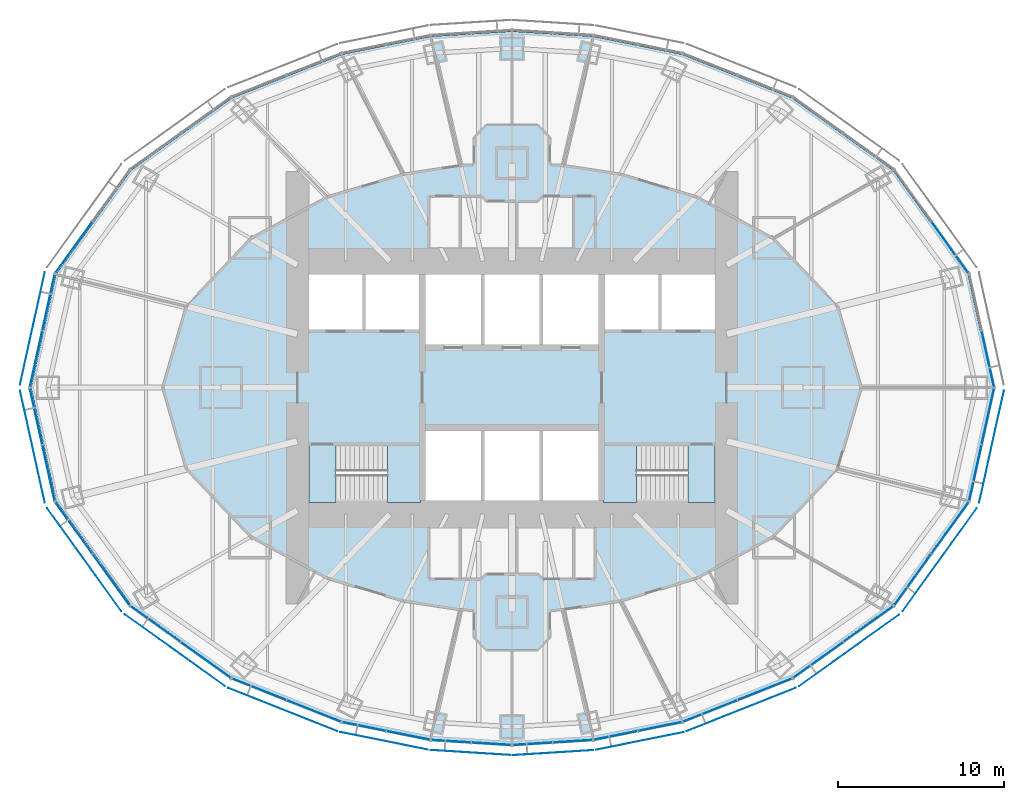
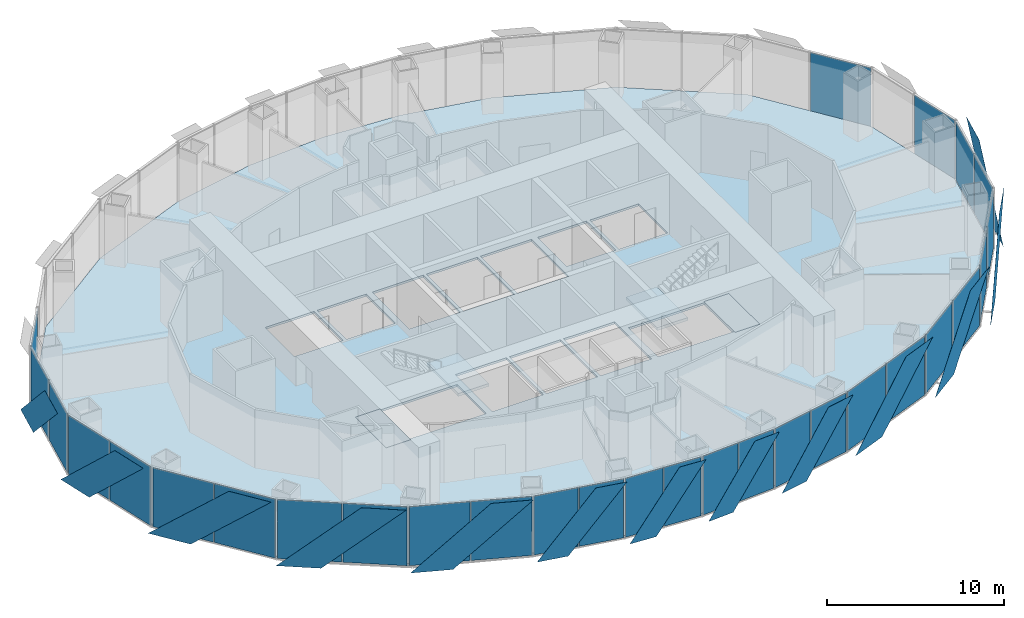
# One storey, part 9 of 18: 42 plates, 5 slabs, 18 elements without a shape of their own.
"""IFC4 building model written with IfcOpenShell, lengths in metres."""

from ifc_helpers import new_model, si_unit, direction, frame, origin, origin_2d, place, context, subcontext, project, spatial, polyline, rectangle, outline, extrude, material, layer, layer_set, type_object, element, aggregate, save


model = new_model("IFC4")

# Units and contexts
model_context = context("Model", 3, precision=1e-05, world=origin(), true_north=direction((0.0, 1.0)))
body_context = subcontext(model_context, "Body", "Model", "MODEL_VIEW")
ifc_project = project(units=[si_unit("LENGTHUNIT", "METRE"), si_unit("AREAUNIT", "SQUARE_METRE"), si_unit("VOLUMEUNIT", "CUBIC_METRE"), si_unit("PLANEANGLEUNIT", "RADIAN"), si_unit("MASSUNIT", "GRAM", prefix="KILO")], contexts=[model_context])

# Site, building, storey
site_placement = place(None, origin())
site = spatial("IfcSite", under=ifc_project, at=site_placement, CompositionType="ELEMENT")
building_placement = place(site_placement, origin())
building = spatial("IfcBuilding", under=site, at=building_placement, Name="Lantaw Convention Tower", CompositionType="ELEMENT")
storey_placement = place(building_placement, frame((0.0, 0.0, 138.39990234375)))
storey = spatial("IfcBuildingStorey", under=building, at=storey_placement, Name="L32", CompositionType="ELEMENT", Elevation=138.39990234375)

# Curtain wall, plate
ifc_material_1 = material(Name="Aluminium framed curtain wall", Category="aluminium")
curtain_wall_type = type_object("IfcCurtainWallType", Name="Office curtain wall low rise, pale aluminium", PredefinedType="USERDEFINED", material=ifc_material_1)
curtain_wall_1_placement = place(storey_placement, origin())
curtain_wall_1 = element("IfcCurtainWall", 1, at=curtain_wall_1_placement, inside=storey, type_object=curtain_wall_type, Name="Office curtain wall low rise, pale aluminium L32", ObjectType="UNITISED CURTAIN WALL", PredefinedType="USERDEFINED")
ifc_material_2 = material(Name="Clear insulating glass", Category="glass")
ifc_layer_1 = layer(ifc_material_2, 0.028076171875)
ifc_layer_set_1 = layer_set([ifc_layer_1], Name="CW-O1 panel 28")
plate_type_1 = type_object("IfcPlateType", Name="CW-O1 panel 28", PredefinedType="CURTAIN_PANEL", material=ifc_layer_set_1)
plate_1_placement = place(storey_placement, frame((28.618408203125, 1.729248046875, -0.0849609375), z_axis=(0.0, 0.0, 1.0), x_axis=(-0.215546166174, 0.9764936509, 0.0)))
plate_1 = element("IfcPlate", 2, at=plate_1_placement, type_object=plate_type_1, Name="CW-O1 panel 1.1", PredefinedType="CURTAIN_PANEL", context=body_context, shape_type="SweptSolid", body=[
    extrude(rectangle(XDim=3.41162109375, YDim=0.028076171875, at=origin_2d()), origin(), (0.0, 0.0, 1.0), 4.070068359375),
])
aggregate(curtain_wall_1, [plate_1])

curtain_wall_2_placement = place(storey_placement, origin())
curtain_wall_2 = element("IfcCurtainWall", 3, at=curtain_wall_2_placement, inside=storey, type_object=curtain_wall_type, Name="Office curtain wall low rise, pale aluminium L32", ObjectType="UNITISED CURTAIN WALL", PredefinedType="USERDEFINED")
plate_2_placement = place(storey_placement, frame((26.34814453125, 8.4345703125, -0.0849609375), z_axis=(0.0, 0.0, 1.0), x_axis=(-0.584512597221, 0.811384633629, 0.0)))
plate_2 = element("IfcPlate", 4, at=plate_2_placement, type_object=plate_type_1, Name="CW-O1 panel 1.1", PredefinedType="CURTAIN_PANEL", context=body_context, shape_type="SweptSolid", body=[
    extrude(rectangle(XDim=3.767333984375, YDim=0.028076171875, at=origin_2d()), origin(), (0.0, 0.0, 1.0), 4.070068359375),
])
aggregate(curtain_wall_2, [plate_2])

curtain_wall_3_placement = place(storey_placement, origin())
curtain_wall_3 = element("IfcCurtainWall", 5, at=curtain_wall_3_placement, inside=storey, type_object=curtain_wall_type, Name="Office curtain wall low rise, pale aluminium L32", ObjectType="UNITISED CURTAIN WALL", PredefinedType="USERDEFINED")
plate_3_placement = place(storey_placement, frame((-26.34814453125, 8.4345703125, -0.0849609375), z_axis=(0.0, 0.0, 1.0), x_axis=(-0.584512597221, -0.811384633629, 0.0)))
plate_3 = element("IfcPlate", 6, at=plate_3_placement, type_object=plate_type_1, Name="CW-O1 panel 2.1", PredefinedType="CURTAIN_PANEL", context=body_context, shape_type="SweptSolid", body=[
    extrude(rectangle(XDim=3.767333984375, YDim=0.028076171875, at=origin_2d()), origin(), (0.0, 0.0, 1.0), 4.070068359375),
])
aggregate(curtain_wall_3, [plate_3])

# Curtain wall, plates
curtain_wall_4_placement = place(storey_placement, origin())
curtain_wall_4 = element("IfcCurtainWall", 7, at=curtain_wall_4_placement, inside=storey, type_object=curtain_wall_type, Name="Office curtain wall low rise, pale aluminium L32", ObjectType="UNITISED CURTAIN WALL", PredefinedType="USERDEFINED")
plate_4_placement = place(storey_placement, frame((-27.868896484375, 5.1240234375, -0.0849609375), z_axis=(0.0, 0.0, 1.0), x_axis=(-0.215546166174, -0.9764936509, 0.0)))
plate_4 = element("IfcPlate", 8, at=plate_4_placement, type_object=plate_type_1, Name="CW-O1 panel 1.1", PredefinedType="CURTAIN_PANEL", context=body_context, shape_type="SweptSolid", body=[
    extrude(rectangle(XDim=3.41162109375, YDim=0.028076171875, at=origin_2d()), origin(), (0.0, 0.0, 1.0), 4.070068359375),
])
plate_5_placement = place(storey_placement, frame((-28.618408203125, 1.729248046875, -0.0849609375), z_axis=(0.0, 0.0, 1.0), x_axis=(-0.215546166174, -0.9764936509, 0.0)))
plate_5 = element("IfcPlate", 9, at=plate_5_placement, type_object=plate_type_1, Name="CW-O1 panel 2.1", PredefinedType="CURTAIN_PANEL", context=body_context, shape_type="SweptSolid", body=[
    extrude(rectangle(XDim=3.41162109375, YDim=0.028076171875, at=origin_2d()), origin(), (0.0, 0.0, 1.0), 4.070068359375),
])
aggregate(curtain_wall_4, [plate_4, plate_5])

curtain_wall_5_placement = place(storey_placement, origin())
curtain_wall_5 = element("IfcCurtainWall", 10, at=curtain_wall_5_placement, inside=storey, type_object=curtain_wall_type, Name="Office curtain wall low rise, pale aluminium L32", ObjectType="UNITISED CURTAIN WALL", PredefinedType="USERDEFINED")
plate_6_placement = place(storey_placement, frame((-28.618408203125, -1.729248046875, -0.0849609375), z_axis=(0.0, 0.0, 1.0), x_axis=(0.215546166174, -0.9764936509, 0.0)))
plate_6 = element("IfcPlate", 11, at=plate_6_placement, type_object=plate_type_1, Name="CW-O1 panel 1.1", PredefinedType="CURTAIN_PANEL", context=body_context, shape_type="SweptSolid", body=[
    extrude(rectangle(XDim=3.41162109375, YDim=0.028076171875, at=origin_2d()), origin(), (0.0, 0.0, 1.0), 4.070068359375),
])
plate_7_placement = place(storey_placement, frame((-27.868896484375, -5.1240234375, -0.0849609375), z_axis=(0.0, 0.0, 1.0), x_axis=(0.215546166174, -0.9764936509, 0.0)))
plate_7 = element("IfcPlate", 12, at=plate_7_placement, type_object=plate_type_1, Name="CW-O1 panel 2.1", PredefinedType="CURTAIN_PANEL", context=body_context, shape_type="SweptSolid", body=[
    extrude(rectangle(XDim=3.41162109375, YDim=0.028076171875, at=origin_2d()), origin(), (0.0, 0.0, 1.0), 4.070068359375),
])
aggregate(curtain_wall_5, [plate_6, plate_7])

curtain_wall_6_placement = place(storey_placement, origin())
curtain_wall_6 = element("IfcCurtainWall", 13, at=curtain_wall_6_placement, inside=storey, type_object=curtain_wall_type, Name="Office curtain wall low rise, pale aluminium L32", ObjectType="UNITISED CURTAIN WALL", PredefinedType="USERDEFINED")
plate_8_placement = place(storey_placement, frame((-26.34814453125, -8.4345703125, -0.0849609375), z_axis=(0.0, 0.0, 1.0), x_axis=(0.584512597221, -0.811384633629, 0.0)))
plate_8 = element("IfcPlate", 14, at=plate_8_placement, type_object=plate_type_1, Name="CW-O1 panel 1.1", PredefinedType="CURTAIN_PANEL", context=body_context, shape_type="SweptSolid", body=[
    extrude(rectangle(XDim=3.767333984375, YDim=0.028076171875, at=origin_2d()), origin(), (0.0, 0.0, 1.0), 4.070068359375),
])
plate_9_placement = place(storey_placement, frame((-24.108154296875, -11.5439453125, -0.0849609375), z_axis=(0.0, 0.0, 1.0), x_axis=(0.584512597221, -0.811384633629, 0.0)))
plate_9 = element("IfcPlate", 15, at=plate_9_placement, type_object=plate_type_1, Name="CW-O1 panel 2.1", PredefinedType="CURTAIN_PANEL", context=body_context, shape_type="SweptSolid", body=[
    extrude(rectangle(XDim=3.767333984375, YDim=0.028076171875, at=origin_2d()), origin(), (0.0, 0.0, 1.0), 4.070068359375),
])
aggregate(curtain_wall_6, [plate_8, plate_9])

curtain_wall_7_placement = place(storey_placement, origin())
curtain_wall_7 = element("IfcCurtainWall", 16, at=curtain_wall_7_placement, inside=storey, type_object=curtain_wall_type, Name="Office curtain wall low rise, pale aluminium L32", ObjectType="UNITISED CURTAIN WALL", PredefinedType="USERDEFINED")
plate_10_placement = place(storey_placement, frame((-21.43408203125, -14.2236328125, -0.0849609375), z_axis=(0.0, 0.0, 1.0), x_axis=(0.813208325995, -0.581972695693, 0.0)))
plate_10 = element("IfcPlate", 17, at=plate_10_placement, type_object=plate_type_1, Name="CW-O1 panel 1.1", PredefinedType="CURTAIN_PANEL", context=body_context, shape_type="SweptSolid", body=[
    extrude(rectangle(XDim=3.645263671875, YDim=0.028076171875, at=origin_2d()), origin(), (0.0, 0.0, 1.0), 4.070068359375),
])
plate_11_placement = place(storey_placement, frame((-18.416748046875, -16.383056640625, -0.0849609375), z_axis=(0.0, 0.0, 1.0), x_axis=(0.813208325995, -0.581972695693, 0.0)))
plate_11 = element("IfcPlate", 18, at=plate_11_placement, type_object=plate_type_1, Name="CW-O1 panel 2.1", PredefinedType="CURTAIN_PANEL", context=body_context, shape_type="SweptSolid", body=[
    extrude(rectangle(XDim=3.645263671875, YDim=0.028076171875, at=origin_2d()), origin(), (0.0, 0.0, 1.0), 4.070068359375),
])
aggregate(curtain_wall_7, [plate_10, plate_11])

curtain_wall_8_placement = place(storey_placement, origin())
curtain_wall_8 = element("IfcCurtainWall", 19, at=curtain_wall_8_placement, inside=storey, type_object=curtain_wall_type, Name="Office curtain wall low rise, pale aluminium L32", ObjectType="UNITISED CURTAIN WALL", PredefinedType="USERDEFINED")
plate_12_placement = place(storey_placement, frame((-15.208251953125, -18.145263671875, -0.0849609375), z_axis=(0.0, 0.0, 1.0), x_axis=(0.929547687544, -0.368701907483, 0.0)))
plate_12 = element("IfcPlate", 20, at=plate_12_placement, type_object=plate_type_1, Name="CW-O1 panel 1.1", PredefinedType="CURTAIN_PANEL", context=body_context, shape_type="SweptSolid", body=[
    extrude(rectangle(XDim=3.470703125, YDim=0.028076171875, at=origin_2d()), origin(), (0.0, 0.0, 1.0), 4.070068359375),
])
plate_13_placement = place(storey_placement, frame((-11.921630859375, -19.448974609375, -0.0849609375), z_axis=(0.0, 0.0, 1.0), x_axis=(0.929547687544, -0.368701907483, 0.0)))
plate_13 = element("IfcPlate", 21, at=plate_13_placement, type_object=plate_type_1, Name="CW-O1 panel 2.1", PredefinedType="CURTAIN_PANEL", context=body_context, shape_type="SweptSolid", body=[
    extrude(rectangle(XDim=3.470703125, YDim=0.028076171875, at=origin_2d()), origin(), (0.0, 0.0, 1.0), 4.070068359375),
])
aggregate(curtain_wall_8, [plate_12, plate_13])

curtain_wall_9_placement = place(storey_placement, origin())
curtain_wall_9 = element("IfcCurtainWall", 22, at=curtain_wall_9_placement, inside=storey, type_object=curtain_wall_type, Name="Office curtain wall low rise, pale aluminium L32", ObjectType="UNITISED CURTAIN WALL", PredefinedType="USERDEFINED")
plate_14_placement = place(storey_placement, frame((-8.893310546875, -20.3857421875, -0.0849609375), z_axis=(0.0, 0.0, 1.0), x_axis=(0.980301514912, -0.197506809659, 0.0)))
plate_14 = element("IfcPlate", 23, at=plate_14_placement, type_object=plate_type_1, Name="CW-O1 panel 1.1", PredefinedType="CURTAIN_PANEL", context=body_context, shape_type="SweptSolid", body=[
    extrude(rectangle(XDim=2.634033203125, YDim=0.028076171875, at=origin_2d()), origin(), (0.0, 0.0, 1.0), 4.070068359375),
])
plate_15_placement = place(storey_placement, frame((-6.247314453125, -20.9189453125, -0.0849609375), z_axis=(0.0, 0.0, 1.0), x_axis=(0.980301514912, -0.197506809659, 0.0)))
plate_15 = element("IfcPlate", 24, at=plate_15_placement, type_object=plate_type_1, Name="CW-O1 panel 2.1", PredefinedType="CURTAIN_PANEL", context=body_context, shape_type="SweptSolid", body=[
    extrude(rectangle(XDim=2.634033203125, YDim=0.028076171875, at=origin_2d()), origin(), (0.0, 0.0, 1.0), 4.070068359375),
])
aggregate(curtain_wall_9, [plate_14, plate_15])

curtain_wall_10_placement = place(storey_placement, origin())
curtain_wall_10 = element("IfcCurtainWall", 25, at=curtain_wall_10_placement, inside=storey, type_object=curtain_wall_type, Name="Office curtain wall low rise, pale aluminium L32", ObjectType="UNITISED CURTAIN WALL", PredefinedType="USERDEFINED")
plate_16_placement = place(storey_placement, frame((-3.653076171875, -21.269775390625, -0.0849609375), z_axis=(0.0, 0.0, 1.0), x_axis=(0.998022035978, -0.062865059466, 0.0)))
plate_16 = element("IfcPlate", 26, at=plate_16_placement, type_object=plate_type_1, Name="CW-O1 panel 1.1", PredefinedType="CURTAIN_PANEL", context=body_context, shape_type="SweptSolid", body=[
    extrude(rectangle(XDim=2.353515625, YDim=0.028076171875, at=origin_2d()), origin(), (0.0, 0.0, 1.0), 4.070068359375),
])
plate_17_placement = place(storey_placement, frame((-1.2392578125, -21.421875, -0.0849609375), z_axis=(0.0, 0.0, 1.0), x_axis=(0.998022035978, -0.062865059466, 0.0)))
plate_17 = element("IfcPlate", 27, at=plate_17_placement, type_object=plate_type_1, Name="CW-O1 panel 2.1", PredefinedType="CURTAIN_PANEL", context=body_context, shape_type="SweptSolid", body=[
    extrude(rectangle(XDim=2.353515625, YDim=0.028076171875, at=origin_2d()), origin(), (0.0, 0.0, 1.0), 4.070068359375),
])
aggregate(curtain_wall_10, [plate_16, plate_17])

curtain_wall_11_placement = place(storey_placement, origin())
curtain_wall_11 = element("IfcCurtainWall", 28, at=curtain_wall_11_placement, inside=storey, type_object=curtain_wall_type, Name="Office curtain wall low rise, pale aluminium L32", ObjectType="UNITISED CURTAIN WALL", PredefinedType="USERDEFINED")
plate_18_placement = place(storey_placement, frame((1.2392578125, -21.421875, -0.0849609375), z_axis=(0.0, 0.0, 1.0), x_axis=(0.998022035978, 0.062865059466, 0.0)))
plate_18 = element("IfcPlate", 29, at=plate_18_placement, type_object=plate_type_1, Name="CW-O1 panel 1.1", PredefinedType="CURTAIN_PANEL", context=body_context, shape_type="SweptSolid", body=[
    extrude(rectangle(XDim=2.353515625, YDim=0.028076171875, at=origin_2d()), origin(), (0.0, 0.0, 1.0), 4.070068359375),
])
plate_19_placement = place(storey_placement, frame((3.653076171875, -21.269775390625, -0.0849609375), z_axis=(0.0, 0.0, 1.0), x_axis=(0.998022035978, 0.062865059466, 0.0)))
plate_19 = element("IfcPlate", 30, at=plate_19_placement, type_object=plate_type_1, Name="CW-O1 panel 2.1", PredefinedType="CURTAIN_PANEL", context=body_context, shape_type="SweptSolid", body=[
    extrude(rectangle(XDim=2.353515625, YDim=0.028076171875, at=origin_2d()), origin(), (0.0, 0.0, 1.0), 4.070068359375),
])
aggregate(curtain_wall_11, [plate_18, plate_19])

curtain_wall_12_placement = place(storey_placement, origin())
curtain_wall_12 = element("IfcCurtainWall", 31, at=curtain_wall_12_placement, inside=storey, type_object=curtain_wall_type, Name="Office curtain wall low rise, pale aluminium L32", ObjectType="UNITISED CURTAIN WALL", PredefinedType="USERDEFINED")
plate_20_placement = place(storey_placement, frame((6.247314453125, -20.9189453125, -0.0849609375), z_axis=(0.0, 0.0, 1.0), x_axis=(0.980301514912, 0.197506809659, 0.0)))
plate_20 = element("IfcPlate", 32, at=plate_20_placement, type_object=plate_type_1, Name="CW-O1 panel 1.1", PredefinedType="CURTAIN_PANEL", context=body_context, shape_type="SweptSolid", body=[
    extrude(rectangle(XDim=2.634033203125, YDim=0.028076171875, at=origin_2d()), origin(), (0.0, 0.0, 1.0), 4.070068359375),
])
plate_21_placement = place(storey_placement, frame((8.893310546875, -20.3857421875, -0.0849609375), z_axis=(0.0, 0.0, 1.0), x_axis=(0.980301514912, 0.197506809659, 0.0)))
plate_21 = element("IfcPlate", 33, at=plate_21_placement, type_object=plate_type_1, Name="CW-O1 panel 2.1", PredefinedType="CURTAIN_PANEL", context=body_context, shape_type="SweptSolid", body=[
    extrude(rectangle(XDim=2.634033203125, YDim=0.028076171875, at=origin_2d()), origin(), (0.0, 0.0, 1.0), 4.070068359375),
])
aggregate(curtain_wall_12, [plate_20, plate_21])

curtain_wall_13_placement = place(storey_placement, origin())
curtain_wall_13 = element("IfcCurtainWall", 34, at=curtain_wall_13_placement, inside=storey, type_object=curtain_wall_type, Name="Office curtain wall low rise, pale aluminium L32", ObjectType="UNITISED CURTAIN WALL", PredefinedType="USERDEFINED")
plate_22_placement = place(storey_placement, frame((11.921630859375, -19.448974609375, -0.0849609375), z_axis=(0.0, 0.0, 1.0), x_axis=(0.929547687544, 0.368701907483, 0.0)))
plate_22 = element("IfcPlate", 35, at=plate_22_placement, type_object=plate_type_1, Name="CW-O1 panel 1.1", PredefinedType="CURTAIN_PANEL", context=body_context, shape_type="SweptSolid", body=[
    extrude(rectangle(XDim=3.470703125, YDim=0.028076171875, at=origin_2d()), origin(), (0.0, 0.0, 1.0), 4.070068359375),
])
plate_23_placement = place(storey_placement, frame((15.208251953125, -18.145263671875, -0.0849609375), z_axis=(0.0, 0.0, 1.0), x_axis=(0.929547687544, 0.368701907483, 0.0)))
plate_23 = element("IfcPlate", 36, at=plate_23_placement, type_object=plate_type_1, Name="CW-O1 panel 2.1", PredefinedType="CURTAIN_PANEL", context=body_context, shape_type="SweptSolid", body=[
    extrude(rectangle(XDim=3.470703125, YDim=0.028076171875, at=origin_2d()), origin(), (0.0, 0.0, 1.0), 4.070068359375),
])
aggregate(curtain_wall_13, [plate_22, plate_23])

curtain_wall_14_placement = place(storey_placement, origin())
curtain_wall_14 = element("IfcCurtainWall", 37, at=curtain_wall_14_placement, inside=storey, type_object=curtain_wall_type, Name="Office curtain wall low rise, pale aluminium L32", ObjectType="UNITISED CURTAIN WALL", PredefinedType="USERDEFINED")
plate_24_placement = place(storey_placement, frame((18.416748046875, -16.383056640625, -0.0849609375), z_axis=(0.0, 0.0, 1.0), x_axis=(0.813208325995, 0.581972695693, 0.0)))
plate_24 = element("IfcPlate", 38, at=plate_24_placement, type_object=plate_type_1, Name="CW-O1 panel 1.1", PredefinedType="CURTAIN_PANEL", context=body_context, shape_type="SweptSolid", body=[
    extrude(rectangle(XDim=3.645263671875, YDim=0.028076171875, at=origin_2d()), origin(), (0.0, 0.0, 1.0), 4.070068359375),
])
plate_25_placement = place(storey_placement, frame((21.43408203125, -14.2236328125, -0.0849609375), z_axis=(0.0, 0.0, 1.0), x_axis=(0.813208325995, 0.581972695693, 0.0)))
plate_25 = element("IfcPlate", 39, at=plate_25_placement, type_object=plate_type_1, Name="CW-O1 panel 2.1", PredefinedType="CURTAIN_PANEL", context=body_context, shape_type="SweptSolid", body=[
    extrude(rectangle(XDim=3.645263671875, YDim=0.028076171875, at=origin_2d()), origin(), (0.0, 0.0, 1.0), 4.070068359375),
])
aggregate(curtain_wall_14, [plate_24, plate_25])

curtain_wall_15_placement = place(storey_placement, origin())
curtain_wall_15 = element("IfcCurtainWall", 40, at=curtain_wall_15_placement, inside=storey, type_object=curtain_wall_type, Name="Office curtain wall low rise, pale aluminium L32", ObjectType="UNITISED CURTAIN WALL", PredefinedType="USERDEFINED")
plate_26_placement = place(storey_placement, frame((24.108154296875, -11.5439453125, -0.0849609375), z_axis=(0.0, 0.0, 1.0), x_axis=(0.584512597221, 0.811384633629, 0.0)))
plate_26 = element("IfcPlate", 41, at=plate_26_placement, type_object=plate_type_1, Name="CW-O1 panel 1.1", PredefinedType="CURTAIN_PANEL", context=body_context, shape_type="SweptSolid", body=[
    extrude(rectangle(XDim=3.767333984375, YDim=0.028076171875, at=origin_2d()), origin(), (0.0, 0.0, 1.0), 4.070068359375),
])
plate_27_placement = place(storey_placement, frame((26.34814453125, -8.4345703125, -0.0849609375), z_axis=(0.0, 0.0, 1.0), x_axis=(0.584512597221, 0.811384633629, 0.0)))
plate_27 = element("IfcPlate", 42, at=plate_27_placement, type_object=plate_type_1, Name="CW-O1 panel 2.1", PredefinedType="CURTAIN_PANEL", context=body_context, shape_type="SweptSolid", body=[
    extrude(rectangle(XDim=3.767333984375, YDim=0.028076171875, at=origin_2d()), origin(), (0.0, 0.0, 1.0), 4.070068359375),
])
aggregate(curtain_wall_15, [plate_26, plate_27])

curtain_wall_16_placement = place(storey_placement, origin())
curtain_wall_16 = element("IfcCurtainWall", 43, at=curtain_wall_16_placement, inside=storey, type_object=curtain_wall_type, Name="Office curtain wall low rise, pale aluminium L32", ObjectType="UNITISED CURTAIN WALL", PredefinedType="USERDEFINED")
plate_28_placement = place(storey_placement, frame((27.868896484375, -5.1240234375, -0.0849609375), z_axis=(0.0, 0.0, 1.0), x_axis=(0.215546166174, 0.9764936509, 0.0)))
plate_28 = element("IfcPlate", 44, at=plate_28_placement, type_object=plate_type_1, Name="CW-O1 panel 1.1", PredefinedType="CURTAIN_PANEL", context=body_context, shape_type="SweptSolid", body=[
    extrude(rectangle(XDim=3.41162109375, YDim=0.028076171875, at=origin_2d()), origin(), (0.0, 0.0, 1.0), 4.070068359375),
])
plate_29_placement = place(storey_placement, frame((28.618408203125, -1.729248046875, -0.0849609375), z_axis=(0.0, 0.0, 1.0), x_axis=(0.215546166174, 0.9764936509, 0.0)))
plate_29 = element("IfcPlate", 45, at=plate_29_placement, type_object=plate_type_1, Name="CW-O1 panel 2.1", PredefinedType="CURTAIN_PANEL", context=body_context, shape_type="SweptSolid", body=[
    extrude(rectangle(XDim=3.41162109375, YDim=0.028076171875, at=origin_2d()), origin(), (0.0, 0.0, 1.0), 4.070068359375),
])
aggregate(curtain_wall_16, [plate_28, plate_29])

# Slab
ifc_material_3 = material(Name="Concrete C35/45", Category="concrete")
ifc_layer_2 = layer(ifc_material_3, 0.14990234375)
ifc_layer_set_2 = layer_set([ifc_layer_2], Name="Floor slab 150")
slab_type_1 = type_object("IfcSlabType", Name="Floor slab 150", PredefinedType="FLOOR", material=ifc_layer_set_2)
slab_1_placement = place(storey_placement, frame((0.0, 0.0, -0.14990234375)))
element("IfcSlab", 46, at=slab_1_placement, inside=storey, type_object=slab_type_1, Name="L32 floor slab", PredefinedType="FLOOR", context=body_context, shape_type="SweptSolid", body=[
    extrude(outline(polyline([(27.417236328125, -6.822021484375), (28.923095703125, 0.0), (27.417236328125, 6.822021484375), (22.915283203125, 13.0712890625), (16.845458984375, 17.415283203125), (10.2265625, 20.04052734375), (4.8828125, 21.1171875), (0.0, 21.4248046875), (-4.8828125, 21.1171875), (-10.2265625, 20.04052734375), (-16.845458984375, 17.415283203125), (-22.915283203125, 13.0712890625), (-27.417236328125, 6.822021484375), (-28.923095703125, 0.0), (-27.417236328125, -6.822021484375), (-22.915283203125, -13.0712890625), (-16.845458984375, -17.415283203125), (-10.2265625, -20.04052734375), (-4.8828125, -21.1171875), (0.0, -21.4248046875), (4.8828125, -21.1171875), (10.2265625, -20.04052734375), (16.845458984375, -17.415283203125), (22.915283203125, -13.0712890625), (27.417236328125, -6.822021484375)]), holes=[polyline([(-5.60009765625, -3.5), (-12.199951171875, -3.5), (-12.199951171875, -6.800048828125), (-5.60009765625, -6.800048828125), (-5.60009765625, -3.5)]), polyline([(-1.86669921875, -6.800048828125), (-1.86669921875, -2.60009765625), (-5.199951171875, -2.60009765625), (-5.199951171875, -6.800048828125), (-1.86669921875, -6.800048828125)]), polyline([(-1.86669921875, 2.60009765625), (-1.86669921875, 6.800048828125), (-5.199951171875, 6.800048828125), (-5.199951171875, 2.60009765625), (-1.86669921875, 2.60009765625)]), polyline([(1.666748046875, 6.800048828125), (-1.666748046875, 6.800048828125), (-1.666748046875, 2.60009765625), (1.666748046875, 2.60009765625), (1.666748046875, 6.800048828125)]), polyline([(-9.0, 3.5), (-9.0, 6.800048828125), (-12.199951171875, 6.800048828125), (-12.199951171875, 3.5), (-9.0, 3.5)]), polyline([(-5.60009765625, 3.5), (-5.60009765625, 6.800048828125), (-8.800048828125, 6.800048828125), (-8.800048828125, 3.5), (-5.60009765625, 3.5)]), polyline([(12.199951171875, -3.5), (5.60009765625, -3.5), (5.60009765625, -6.800048828125), (12.199951171875, -6.800048828125), (12.199951171875, -3.5)]), polyline([(1.666748046875, -6.800048828125), (1.666748046875, -2.60009765625), (-1.666748046875, -2.60009765625), (-1.666748046875, -6.800048828125), (1.666748046875, -6.800048828125)]), polyline([(5.199951171875, -6.800048828125), (5.199951171875, -2.60009765625), (1.86669921875, -2.60009765625), (1.86669921875, -6.800048828125), (5.199951171875, -6.800048828125)]), polyline([(5.199951171875, 6.800048828125), (1.86669921875, 6.800048828125), (1.86669921875, 2.60009765625), (5.199951171875, 2.60009765625), (5.199951171875, 6.800048828125)]), polyline([(8.800048828125, 3.5), (8.800048828125, 6.800048828125), (5.60009765625, 6.800048828125), (5.60009765625, 3.5), (8.800048828125, 3.5)]), polyline([(12.199951171875, 3.5), (12.199951171875, 6.800048828125), (9.0, 6.800048828125), (9.0, 3.5), (12.199951171875, 3.5)])]), origin(), (0.0, 0.0, 1.0), 0.14990234375),
])

# Plates
ifc_material_4 = material(Name="Perforated aluminium sheet, pale silver finish", Category="aluminium")
ifc_layer_3 = layer(ifc_material_4, 0.006103515625)
ifc_layer_set_3 = layer_set([ifc_layer_3], Name="Perforated aluminium solar SCREEN panel")
plate_type_2 = type_object("IfcPlateType", Name="Perforated aluminium solar SCREEN panel", PredefinedType="SHEET", material=ifc_layer_set_3)
plate_30_placement = place(storey_placement, frame((-28.08984375, 6.93505859375, -0.1748046875), z_axis=(0.976497812463, -0.215527309509, 3.3329045e-05), x_axis=(-0.215527309629, -0.976497813005, -1.665e-09)))
element("IfcPlate", 47, at=plate_30_placement, inside=storey, type_object=plate_type_2, Name="Solar SCREEN panel", PredefinedType="SHEET", context=body_context, shape_type="SweptSolid", body=[
    extrude(outline(polyline([(0.0, 0.0), (2.386131748388921, -3.3881317890172014e-21), (6.918240176095255, -4.339843763929156), (4.532055808734257, -4.33984375598333), (0.0, 0.0)])), origin(), (0.0, 0.0, -1.0), 0.006103515625),
])
plate_31_placement = place(storey_placement, frame((-29.5810546875, -0.179443359375, -0.1748046875), z_axis=(-0.976497812463, -0.215527309509, 3.3329045e-05), x_axis=(0.215527309629, -0.976497813005, 1.665e-09)))
element("IfcPlate", 48, at=plate_31_placement, inside=storey, type_object=plate_type_2, Name="Solar SCREEN panel", PredefinedType="SHEET", context=body_context, shape_type="SweptSolid", body=[
    extrude(outline(polyline([(0.0, 0.0), (2.3861843673609986, 0.0), (6.918240190546627, 4.339843740891906), (4.532108442157707, 4.339843748837556), (0.0, 0.0)])), origin(), (0.0, 0.0, -1.0), 0.006103515625),
])
plate_32_placement = place(storey_placement, frame((-27.94970703125, -7.248046875, -0.1748046875), z_axis=(-0.81139512159, -0.584498037099, 3.5888803e-05), x_axis=(0.584498037475, -0.811395122112, -9.74e-10)))
element("IfcPlate", 49, at=plate_32_placement, inside=storey, type_object=plate_type_2, Name="Solar SCREEN panel", PredefinedType="SHEET", context=body_context, shape_type="SweptSolid", body=[
    extrude(outline(polyline([(0.0, 0.0), (2.628222178575422, -6.776263578034403e-21), (7.629778257969264, 4.339843760228519), (5.001754173906077, 4.339843755107391), (0.0, 0.0)])), origin(), (0.0, 0.0, -1.0), 0.006103515625),
])
plate_33_placement = place(storey_placement, frame((-23.281005859375, -13.64697265625, -0.1748046875), z_axis=(-0.582000183937, -0.813188653244, 1.1537794e-05), x_axis=(0.813188653298, -0.582000183975, 0.0)))
element("IfcPlate", 50, at=plate_33_placement, inside=storey, type_object=plate_type_2, Name="Solar SCREEN panel", PredefinedType="SHEET", context=body_context, shape_type="SweptSolid", body=[
    extrude(outline(polyline([(0.0, 0.0), (2.5450183911586484, 1.6940658945086007e-21), (7.385531276904658, 4.339843750288861), (4.840512885746009, 4.339843750288861), (0.0, 0.0)])), origin(), (0.0, 0.0, -1.0), 0.006103515625),
])
plate_34_placement = place(storey_placement, frame((-17.05859375, -18.063232421875, -0.1748046875), z_axis=(0.368708915367, 0.929544907797, 1.0867661e-05), x_axis=(0.929544907851, -0.368708915389, 7.1e-10)))
element("IfcPlate", 51, at=plate_34_placement, inside=storey, type_object=plate_type_2, Name="Solar SCREEN panel", PredefinedType="SHEET", context=body_context, shape_type="SweptSolid", body=[
    extrude(outline(polyline([(0.0, 0.0), (2.4263803793049097, 0.0), (7.036549629566982, -4.339843745261612), (4.61003232741235, -4.339843748706285), (0.0, 0.0)])), origin(), (0.0, 0.0, -1.0), 0.006103515625),
])
plate_35_placement = place(storey_placement, frame((-10.318603515625, -20.716796875, -0.1748046875), z_axis=(-0.197556725442, -0.980291455983, 3.9485719e-05), x_axis=(0.980291456747, -0.197556725596, 0.0)))
element("IfcPlate", 52, at=plate_35_placement, inside=storey, type_object=plate_type_2, Name="Solar SCREEN panel", PredefinedType="SHEET", context=body_context, shape_type="SweptSolid", body=[
    extrude(outline(polyline([(0.0, 0.0), (1.8574075788555457, 1.6940658945086007e-21), (5.362987026845185, 4.339843753383173), (3.505579447989639, 4.339843753383173), (0.0, 0.0)])), origin(), (0.0, 0.0, -1.0), 0.006103515625),
])
plate_36_placement = place(storey_placement, frame((-4.880615234375, -21.7998046875, -0.1748046875), z_axis=(-0.062838799866, -0.998023689713, 1.755158e-06), x_axis=(0.998023689715, -0.062838799866, -8e-12)))
element("IfcPlate", 53, at=plate_36_placement, inside=storey, type_object=plate_type_2, Name="Solar SCREEN panel", PredefinedType="SHEET", context=body_context, shape_type="SweptSolid", body=[
    extrude(outline(polyline([(0.0, 0.0), (1.6666243269452135, 2.6469779601696886e-23), (4.802214797186689, 4.339843750045478), (3.135346812114104, 4.33984375001855), (0.0, 0.0)])), origin(), (0.0, 0.0, -1.0), 0.006103515625),
])
plate_37_placement = place(storey_placement, frame((0.087890625, -22.1015625, -0.1748046875), z_axis=(-0.062838799866, 0.998023689713, 1.755158e-06), x_axis=(0.998023689715, 0.062838799866, 8e-12)))
element("IfcPlate", 54, at=plate_37_placement, inside=storey, type_object=plate_type_2, Name="Solar SCREEN panel", PredefinedType="SHEET", context=body_context, shape_type="SweptSolid", body=[
    extrude(outline(polyline([(0.0, 0.0), (1.6668679850725854, -5.293955920339377e-23), (4.802214797256801, -4.339843749967897), (3.1355904703115876, -4.339843749994822), (0.0, 0.0)])), origin(), (0.0, 0.0, -1.0), 0.006103515625),
])
plate_38_placement = place(storey_placement, frame((5.061279296875, -21.776123046875, -0.1748046875), z_axis=(-0.197556725442, 0.980291455983, 3.9485719e-05), x_axis=(0.980291456747, 0.197556725596, 0.0)))
element("IfcPlate", 55, at=plate_38_placement, inside=storey, type_object=plate_type_2, Name="Solar SCREEN panel", PredefinedType="SHEET", context=body_context, shape_type="SweptSolid", body=[
    extrude(outline(polyline([(0.0, 0.0), (1.8574075788555457, -1.6940658945086007e-21), (5.362987026845185, -4.339843753383173), (3.505579447989639, -4.339843753383173), (0.0, 0.0)])), origin(), (0.0, 0.0, -1.0), 0.006103515625),
])
plate_39_placement = place(storey_placement, frame((10.517822265625, -20.65771484375, -0.1748046875), z_axis=(0.368708915367, -0.929544907797, 1.0867661e-05), x_axis=(0.929544907851, 0.368708915389, -7.1e-10)))
element("IfcPlate", 56, at=plate_39_placement, inside=storey, type_object=plate_type_2, Name="Solar SCREEN panel", PredefinedType="SHEET", context=body_context, shape_type="SweptSolid", body=[
    extrude(outline(polyline([(0.0, 0.0), (2.426517302154632, 1.6940658945086007e-21), (7.036549623406159, 4.339843755250667), (4.610169244101249, 4.339843751806188), (0.0, 0.0)])), origin(), (0.0, 0.0, -1.0), 0.006103515625),
])
plate_40_placement = place(storey_placement, frame((17.275146484375, -17.9453125, -0.1748046875), z_axis=(-0.582000183937, 0.813188653244, 1.1537794e-05), x_axis=(0.813188653298, 0.582000183975, 0.0)))
element("IfcPlate", 57, at=plate_40_placement, inside=storey, type_object=plate_type_2, Name="Solar SCREEN panel", PredefinedType="SHEET", context=body_context, shape_type="SweptSolid", body=[
    extrude(outline(polyline([(0.0, 0.0), (2.5450183911586484, -1.6940658945086007e-21), (7.385531276904658, -4.339843750288861), (4.840512885746009, -4.339843750288861), (0.0, 0.0)])), origin(), (0.0, 0.0, -1.0), 0.006103515625),
])
plate_41_placement = place(storey_placement, frame((23.489990234375, -13.438720703125, -0.1748046875), z_axis=(-0.81139512159, 0.584498037099, 3.5888803e-05), x_axis=(0.584498037475, 0.811395122112, 9.74e-10)))
element("IfcPlate", 58, at=plate_41_placement, inside=storey, type_object=plate_type_2, Name="Solar SCREEN panel", PredefinedType="SHEET", context=body_context, shape_type="SweptSolid", body=[
    extrude(outline(polyline([(0.0, 0.0), (2.6280240840631874, 6.776263578034403e-21), (7.62977826642615, -4.339843745360666), (5.001556087850728, -4.3398437504821805), (0.0, 0.0)])), origin(), (0.0, 0.0, -1.0), 0.006103515625),
])
plate_42_placement = place(storey_placement, frame((28.08984375, -6.93505859375, -0.1748046875), z_axis=(-0.976497812463, 0.215527309509, 3.3329045e-05), x_axis=(0.215527309629, 0.976497813005, -1.665e-09)))
element("IfcPlate", 59, at=plate_42_placement, inside=storey, type_object=plate_type_2, Name="Solar SCREEN panel", PredefinedType="SHEET", context=body_context, shape_type="SweptSolid", body=[
    extrude(outline(polyline([(0.0, 0.0), (2.386131748388921, -3.3881317890172014e-21), (6.918240176095255, -4.339843763929156), (4.532055808734257, -4.33984375598333), (0.0, 0.0)])), origin(), (0.0, 0.0, -1.0), 0.006103515625),
])

# Stair, slabs
stair_type = type_object("IfcStairType", Name="Exit stair 1500 riser 175 in 2 flights", PredefinedType="HALF_TURN_STAIR", material=ifc_material_3)
stair_1_placement = place(storey_placement, origin())
stair_1 = element("IfcStair", 60, at=stair_1_placement, inside=storey, type_object=stair_type, Name="Exit stair S1 L32", PredefinedType="HALF_TURN_STAIR")
ifc_layer_4 = layer(ifc_material_3, 0.199951171875)
ifc_layer_set_4 = layer_set([ifc_layer_4], Name="Stair landing 200")
slab_type_2 = type_object("IfcSlabType", Name="Stair landing 200", PredefinedType="LANDING", material=ifc_layer_set_4)
slab_2_placement = place(storey_placement, frame((0.0, 0.0, -0.199951171875)))
slab_2 = element("IfcSlab", 61, at=slab_2_placement, type_object=slab_type_2, Name="S1 landing 1", PredefinedType="LANDING", context=body_context, shape_type="SweptSolid", body=[
    extrude(outline(polyline([(-12.199951171875, -6.89990234375), (-10.580078125, -6.89990234375), (-10.580078125, -3.39990234375), (-12.199951171875, -3.39990234375), (-12.199951171875, -6.89990234375)])), origin(), (0.0, 0.0, 1.0), 0.199951171875),
])
slab_3_placement = place(storey_placement, frame((0.0, 0.0, 1.900146484375)))
slab_3 = element("IfcSlab", 62, at=slab_3_placement, type_object=slab_type_2, Name="S1 landing 2", PredefinedType="LANDING", context=body_context, shape_type="SweptSolid", body=[
    extrude(outline(polyline([(-7.5, -6.89990234375), (-5.5, -6.89990234375), (-5.5, -3.39990234375), (-7.5, -3.39990234375), (-7.5, -6.89990234375)])), origin(), (0.0, 0.0, 1.0), 0.199951171875),
])
aggregate(stair_1, [slab_2, slab_3])

stair_2_placement = place(storey_placement, origin())
stair_2 = element("IfcStair", 63, at=stair_2_placement, inside=storey, type_object=stair_type, Name="Exit stair S2 L32", PredefinedType="HALF_TURN_STAIR")
slab_4_placement = place(storey_placement, frame((0.0, 0.0, -0.199951171875)))
slab_4 = element("IfcSlab", 64, at=slab_4_placement, type_object=slab_type_2, Name="S2 landing 1", PredefinedType="LANDING", context=body_context, shape_type="SweptSolid", body=[
    extrude(outline(polyline([(10.580078125, -6.89990234375), (12.199951171875, -6.89990234375), (12.199951171875, -3.39990234375), (10.580078125, -3.39990234375), (10.580078125, -6.89990234375)])), origin(), (0.0, 0.0, 1.0), 0.199951171875),
])
slab_5_placement = place(storey_placement, frame((0.0, 0.0, 1.900146484375)))
slab_5 = element("IfcSlab", 65, at=slab_5_placement, type_object=slab_type_2, Name="S2 landing 2", PredefinedType="LANDING", context=body_context, shape_type="SweptSolid", body=[
    extrude(outline(polyline([(5.5, -6.89990234375), (7.5, -6.89990234375), (7.5, -3.39990234375), (5.5, -3.39990234375), (5.5, -6.89990234375)])), origin(), (0.0, 0.0, 1.0), 0.199951171875),
])
aggregate(stair_2, [slab_4, slab_5])

save(model, "model.ifc")
